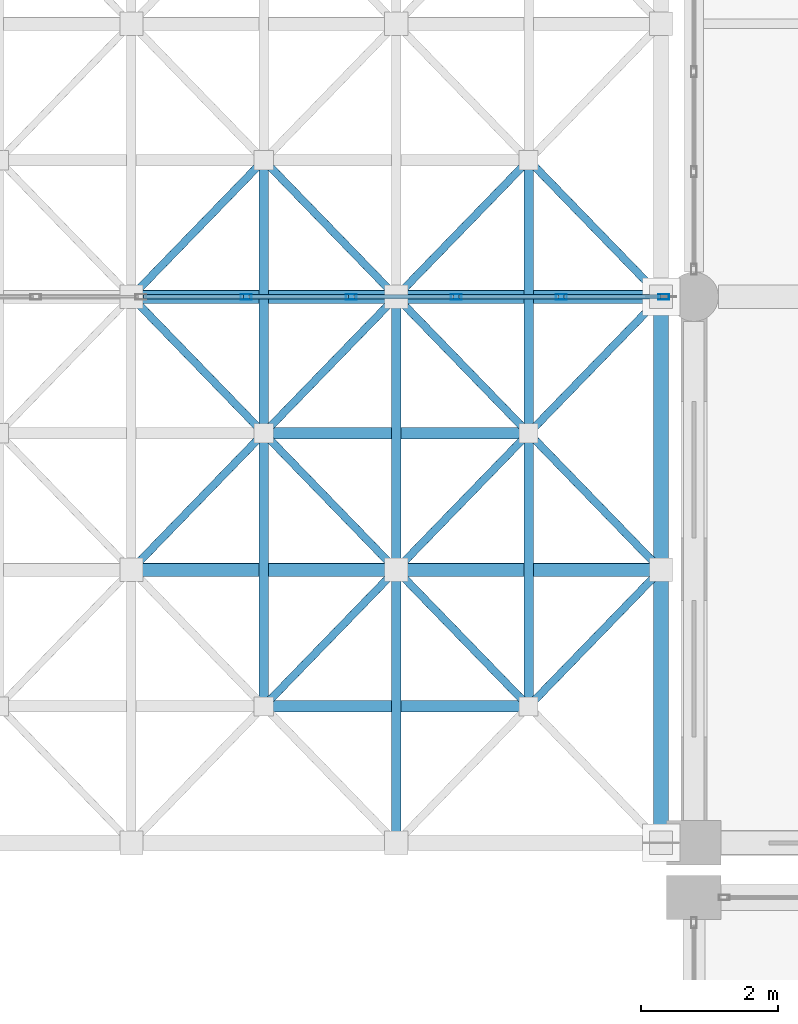
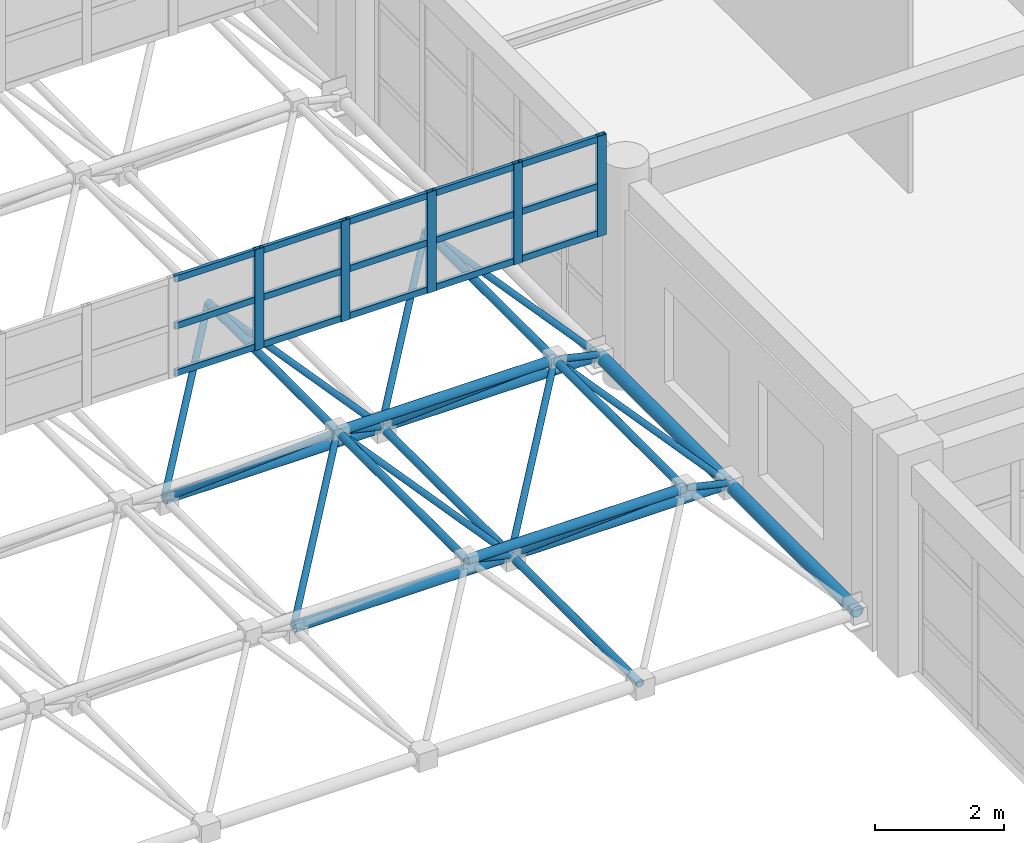
# One storey, part 52 of 195: 49 members, 1 element without a shape of its own.
"""IFC4 building model written with IfcOpenShell, lengths in metres."""

from ifc_helpers import new_model, si_unit, direction, frame, origin, origin_2d, place, context, subcontext, project, spatial, hollow_rectangle, hollow_circle, extrude, material, material_profile, profile_set, type_object, element, aggregate, save


model = new_model("IFC4")

# Units and contexts
model_context = context("Model", 3, precision=1e-05, world=origin(), true_north=direction((0.0, 1.0)))
body_context = subcontext(model_context, "Body", "Model", "MODEL_VIEW")
ifc_project = project(units=[si_unit("LENGTHUNIT", "METRE"), si_unit("AREAUNIT", "SQUARE_METRE"), si_unit("VOLUMEUNIT", "CUBIC_METRE"), si_unit("PLANEANGLEUNIT", "RADIAN"), si_unit("MASSUNIT", "GRAM", prefix="KILO")], contexts=[model_context])

# Site, building, storey
site_placement = place(None, origin())
site = spatial("IfcSite", under=ifc_project, at=site_placement, CompositionType="ELEMENT")
building_placement = place(site_placement, origin())
building = spatial("IfcBuilding", under=site, at=building_placement, Name="Kharva Crest Polytechnic", CompositionType="ELEMENT")
storey_placement = place(building_placement, frame((0.0, 0.0, 9.0)))
storey = spatial("IfcBuildingStorey", under=building, at=storey_placement, Name="L02", CompositionType="ELEMENT", Elevation=9.0)

# Curtain wall, members
ifc_material_1 = material(Name="Tempered insulated glass", Category="glass")
curtain_wall_type = type_object("IfcCurtainWallType", Name="CW-SYS-NORTHLIGHT", PredefinedType="USERDEFINED", material=ifc_material_1)
curtain_wall_placement = place(storey_placement, origin())
curtain_wall = element("IfcCurtainWall", 1, at=curtain_wall_placement, inside=storey, type_object=curtain_wall_type, Name="L02 Glazed Curtain Wall CW-190", ObjectType="CURTAIN WALL", PredefinedType="USERDEFINED")
ifc_material_2 = material(Name="Steel S355", Category="steel")
ifc_material_profile_1 = material_profile(ifc_material_2, hollow_rectangle(XDim=0.080078125, YDim=0.159912109375, WallThickness=0.0048828125, at=origin_2d()), Name="RHS 160X80X5.0")
ifc_profile_set_1 = profile_set([ifc_material_profile_1], Name="Steel S355")
member_type_1 = type_object("IfcMemberType", Name="CWM-RHS160X80", PredefinedType="MULLION", material=ifc_profile_set_1)
member_1_placement = place(storey_placement, frame((25.43994140625, 46.800048828125, 2.85009765625), z_axis=(0.0, 0.0, 1.0), x_axis=(0.0, 1.0, 0.0)))
member_1 = element("IfcMember", 2, at=member_1_placement, type_object=member_type_1, Name="CW-190 mullion 7", PredefinedType="MULLION", context=body_context, shape_type="SweptSolid", body=[
    extrude(hollow_rectangle(XDim=0.080078125, YDim=0.159912109375, WallThickness=0.0048828125, at=origin_2d()), origin(), (0.0, 0.0, 1.0), 1.89990234375),
])
member_2_placement = place(storey_placement, frame((26.97998046875, 46.800048828125, 2.85009765625), z_axis=(0.0, 0.0, 1.0), x_axis=(0.0, 1.0, 0.0)))
member_2 = element("IfcMember", 3, at=member_2_placement, type_object=member_type_1, Name="CW-190 mullion 8", PredefinedType="MULLION", context=body_context, shape_type="SweptSolid", body=[
    extrude(hollow_rectangle(XDim=0.080078125, YDim=0.159912109375, WallThickness=0.0048828125, at=origin_2d()), origin(), (0.0, 0.0, 1.0), 1.89990234375),
])
member_3_placement = place(storey_placement, frame((28.52001953125, 46.800048828125, 2.85009765625), z_axis=(0.0, 0.0, 1.0), x_axis=(0.0, 1.0, 0.0)))
member_3 = element("IfcMember", 4, at=member_3_placement, type_object=member_type_1, Name="CW-190 mullion 9", PredefinedType="MULLION", context=body_context, shape_type="SweptSolid", body=[
    extrude(hollow_rectangle(XDim=0.080078125, YDim=0.159912109375, WallThickness=0.0048828125, at=origin_2d()), origin(), (0.0, 0.0, 1.0), 1.89990234375),
])
member_4_placement = place(storey_placement, frame((30.06005859375, 46.800048828125, 2.85009765625), z_axis=(0.0, 0.0, 1.0), x_axis=(0.0, 1.0, 0.0)))
member_4 = element("IfcMember", 5, at=member_4_placement, type_object=member_type_1, Name="CW-190 mullion 10", PredefinedType="MULLION", context=body_context, shape_type="SweptSolid", body=[
    extrude(hollow_rectangle(XDim=0.080078125, YDim=0.159912109375, WallThickness=0.0048828125, at=origin_2d()), origin(), (0.0, 0.0, 1.0), 1.89990234375),
])
member_5_placement = place(storey_placement, frame((31.56005859375, 46.800048828125, 2.85009765625), z_axis=(0.0, 0.0, 1.0), x_axis=(0.0, 1.0, 0.0)))
member_5 = element("IfcMember", 6, at=member_5_placement, type_object=member_type_1, Name="CW-190 mullion 11", PredefinedType="MULLION", context=body_context, shape_type="SweptSolid", body=[
    extrude(hollow_rectangle(XDim=0.080078125, YDim=0.159912109375, WallThickness=0.0048828125, at=origin_2d()), origin(), (0.0, 0.0, 1.0), 1.89990234375),
])
ifc_material_profile_2 = material_profile(ifc_material_2, hollow_rectangle(XDim=0.06005859375, YDim=0.1201171875, WallThickness=0.00390625, at=origin_2d()), Name="RHS 120X60X4.0")
ifc_profile_set_2 = profile_set([ifc_material_profile_2], Name="Steel S355")
member_type_2 = type_object("IfcMemberType", Name="CWT-RHS120X60", PredefinedType="USERDEFINED", material=ifc_profile_set_2)
member_6_placement = place(storey_placement, frame((23.93994140625, 46.800048828125, 2.909912109375), z_axis=(1.0, 0.0, 0.0), x_axis=(0.0, 1.0, 0.0)))
member_6 = element("IfcMember", 7, at=member_6_placement, type_object=member_type_2, Name="CW-190 transom 6.1", ObjectType="TRANSOM", PredefinedType="USERDEFINED", context=body_context, shape_type="SweptSolid", body=[
    extrude(hollow_rectangle(XDim=0.06005859375, YDim=0.1201171875, WallThickness=0.00390625, at=origin_2d()), origin(), (0.0, 0.0, 1.0), 1.4599609375),
])
member_7_placement = place(storey_placement, frame((23.93994140625, 46.800048828125, 3.800048828125), z_axis=(1.0, 0.0, 0.0), x_axis=(0.0, 1.0, 0.0)))
member_7 = element("IfcMember", 8, at=member_7_placement, type_object=member_type_2, Name="CW-190 transom 6.2", ObjectType="TRANSOM", PredefinedType="USERDEFINED", context=body_context, shape_type="SweptSolid", body=[
    extrude(hollow_rectangle(XDim=0.06005859375, YDim=0.1201171875, WallThickness=0.00390625, at=origin_2d()), origin(), (0.0, 0.0, 1.0), 1.4599609375),
])
member_8_placement = place(storey_placement, frame((23.93994140625, 46.800048828125, 4.68994140625), z_axis=(1.0, 0.0, 0.0), x_axis=(0.0, 1.0, 0.0)))
member_8 = element("IfcMember", 9, at=member_8_placement, type_object=member_type_2, Name="CW-190 transom 6.3", ObjectType="TRANSOM", PredefinedType="USERDEFINED", context=body_context, shape_type="SweptSolid", body=[
    extrude(hollow_rectangle(XDim=0.06005859375, YDim=0.1201171875, WallThickness=0.00390625, at=origin_2d()), origin(), (0.0, 0.0, 1.0), 1.4599609375),
])
member_9_placement = place(storey_placement, frame((25.47998046875, 46.800048828125, 2.909912109375), z_axis=(1.0, 0.0, 0.0), x_axis=(0.0, 1.0, 0.0)))
member_9 = element("IfcMember", 10, at=member_9_placement, type_object=member_type_2, Name="CW-190 transom 7.1", ObjectType="TRANSOM", PredefinedType="USERDEFINED", context=body_context, shape_type="SweptSolid", body=[
    extrude(hollow_rectangle(XDim=0.06005859375, YDim=0.1201171875, WallThickness=0.00390625, at=origin_2d()), origin(), (0.0, 0.0, 1.0), 1.4599609375),
])
member_10_placement = place(storey_placement, frame((25.47998046875, 46.800048828125, 3.800048828125), z_axis=(1.0, 0.0, 0.0), x_axis=(0.0, 1.0, 0.0)))
member_10 = element("IfcMember", 11, at=member_10_placement, type_object=member_type_2, Name="CW-190 transom 7.2", ObjectType="TRANSOM", PredefinedType="USERDEFINED", context=body_context, shape_type="SweptSolid", body=[
    extrude(hollow_rectangle(XDim=0.06005859375, YDim=0.1201171875, WallThickness=0.00390625, at=origin_2d()), origin(), (0.0, 0.0, 1.0), 1.4599609375),
])
member_11_placement = place(storey_placement, frame((25.47998046875, 46.800048828125, 4.68994140625), z_axis=(1.0, 0.0, 0.0), x_axis=(0.0, 1.0, 0.0)))
member_11 = element("IfcMember", 12, at=member_11_placement, type_object=member_type_2, Name="CW-190 transom 7.3", ObjectType="TRANSOM", PredefinedType="USERDEFINED", context=body_context, shape_type="SweptSolid", body=[
    extrude(hollow_rectangle(XDim=0.06005859375, YDim=0.1201171875, WallThickness=0.00390625, at=origin_2d()), origin(), (0.0, 0.0, 1.0), 1.4599609375),
])
member_12_placement = place(storey_placement, frame((27.02001953125, 46.800048828125, 2.909912109375), z_axis=(1.0, 0.0, 0.0), x_axis=(0.0, 1.0, 0.0)))
member_12 = element("IfcMember", 13, at=member_12_placement, type_object=member_type_2, Name="CW-190 transom 8.1", ObjectType="TRANSOM", PredefinedType="USERDEFINED", context=body_context, shape_type="SweptSolid", body=[
    extrude(hollow_rectangle(XDim=0.06005859375, YDim=0.1201171875, WallThickness=0.00390625, at=origin_2d()), origin(), (0.0, 0.0, 1.0), 1.4599609375),
])
member_13_placement = place(storey_placement, frame((27.02001953125, 46.800048828125, 3.800048828125), z_axis=(1.0, 0.0, 0.0), x_axis=(0.0, 1.0, 0.0)))
member_13 = element("IfcMember", 14, at=member_13_placement, type_object=member_type_2, Name="CW-190 transom 8.2", ObjectType="TRANSOM", PredefinedType="USERDEFINED", context=body_context, shape_type="SweptSolid", body=[
    extrude(hollow_rectangle(XDim=0.06005859375, YDim=0.1201171875, WallThickness=0.00390625, at=origin_2d()), origin(), (0.0, 0.0, 1.0), 1.4599609375),
])
member_14_placement = place(storey_placement, frame((27.02001953125, 46.800048828125, 4.68994140625), z_axis=(1.0, 0.0, 0.0), x_axis=(0.0, 1.0, 0.0)))
member_14 = element("IfcMember", 15, at=member_14_placement, type_object=member_type_2, Name="CW-190 transom 8.3", ObjectType="TRANSOM", PredefinedType="USERDEFINED", context=body_context, shape_type="SweptSolid", body=[
    extrude(hollow_rectangle(XDim=0.06005859375, YDim=0.1201171875, WallThickness=0.00390625, at=origin_2d()), origin(), (0.0, 0.0, 1.0), 1.4599609375),
])
member_15_placement = place(storey_placement, frame((28.56005859375, 46.800048828125, 2.909912109375), z_axis=(1.0, 0.0, 0.0), x_axis=(0.0, 1.0, 0.0)))
member_15 = element("IfcMember", 16, at=member_15_placement, type_object=member_type_2, Name="CW-190 transom 9.1", ObjectType="TRANSOM", PredefinedType="USERDEFINED", context=body_context, shape_type="SweptSolid", body=[
    extrude(hollow_rectangle(XDim=0.06005859375, YDim=0.1201171875, WallThickness=0.00390625, at=origin_2d()), origin(), (0.0, 0.0, 1.0), 1.4599609375),
])
member_16_placement = place(storey_placement, frame((28.56005859375, 46.800048828125, 3.800048828125), z_axis=(1.0, 0.0, 0.0), x_axis=(0.0, 1.0, 0.0)))
member_16 = element("IfcMember", 17, at=member_16_placement, type_object=member_type_2, Name="CW-190 transom 9.2", ObjectType="TRANSOM", PredefinedType="USERDEFINED", context=body_context, shape_type="SweptSolid", body=[
    extrude(hollow_rectangle(XDim=0.06005859375, YDim=0.1201171875, WallThickness=0.00390625, at=origin_2d()), origin(), (0.0, 0.0, 1.0), 1.4599609375),
])
member_17_placement = place(storey_placement, frame((28.56005859375, 46.800048828125, 4.68994140625), z_axis=(1.0, 0.0, 0.0), x_axis=(0.0, 1.0, 0.0)))
member_17 = element("IfcMember", 18, at=member_17_placement, type_object=member_type_2, Name="CW-190 transom 9.3", ObjectType="TRANSOM", PredefinedType="USERDEFINED", context=body_context, shape_type="SweptSolid", body=[
    extrude(hollow_rectangle(XDim=0.06005859375, YDim=0.1201171875, WallThickness=0.00390625, at=origin_2d()), origin(), (0.0, 0.0, 1.0), 1.4599609375),
])
member_18_placement = place(storey_placement, frame((30.10009765625, 46.800048828125, 2.909912109375), z_axis=(1.0, 0.0, 0.0), x_axis=(0.0, 1.0, 0.0)))
member_18 = element("IfcMember", 19, at=member_18_placement, type_object=member_type_2, Name="CW-190 transom 10.1", ObjectType="TRANSOM", PredefinedType="USERDEFINED", context=body_context, shape_type="SweptSolid", body=[
    extrude(hollow_rectangle(XDim=0.06005859375, YDim=0.1201171875, WallThickness=0.00390625, at=origin_2d()), origin(), (0.0, 0.0, 1.0), 1.419921875),
])
member_19_placement = place(storey_placement, frame((30.10009765625, 46.800048828125, 3.800048828125), z_axis=(1.0, 0.0, 0.0), x_axis=(0.0, 1.0, 0.0)))
member_19 = element("IfcMember", 20, at=member_19_placement, type_object=member_type_2, Name="CW-190 transom 10.2", ObjectType="TRANSOM", PredefinedType="USERDEFINED", context=body_context, shape_type="SweptSolid", body=[
    extrude(hollow_rectangle(XDim=0.06005859375, YDim=0.1201171875, WallThickness=0.00390625, at=origin_2d()), origin(), (0.0, 0.0, 1.0), 1.419921875),
])
member_20_placement = place(storey_placement, frame((30.10009765625, 46.800048828125, 4.68994140625), z_axis=(1.0, 0.0, 0.0), x_axis=(0.0, 1.0, 0.0)))
member_20 = element("IfcMember", 21, at=member_20_placement, type_object=member_type_2, Name="CW-190 transom 10.3", ObjectType="TRANSOM", PredefinedType="USERDEFINED", context=body_context, shape_type="SweptSolid", body=[
    extrude(hollow_rectangle(XDim=0.06005859375, YDim=0.1201171875, WallThickness=0.00390625, at=origin_2d()), origin(), (0.0, 0.0, 1.0), 1.419921875),
])
aggregate(curtain_wall, [member_1, member_2, member_3, member_4, member_5, member_6, member_7, member_8, member_9, member_10, member_11, member_12, member_13, member_14, member_15, member_16, member_17, member_18, member_19, member_20])

# Members
ifc_material_profile_3 = material_profile(ifc_material_2, hollow_circle(Radius=0.05712890625, WallThickness=0.00634765625, at=origin_2d()), Name="CHS 114.3X6.3")
ifc_profile_set_3 = profile_set([ifc_material_profile_3], Name="Steel S355")
member_type_3 = type_object("IfcMemberType", Name="MEM-CHS114", PredefinedType="BRACE", material=ifc_profile_set_3)
for number, where, z_axis, x_axis, name in (
    (22, (27.639892578125, 42.800048828125, 0.60009765625), (-0.584843378742, -0.602949529154, 0.542595694449), (0.717802189577, -0.696247094528, 0.0), "Space Frame Web Diagonal 788"),
    (23, (23.760009765625, 42.800048828125, 0.60009765625), (0.584843378742, 0.602949529154, 0.542595694449), (-0.717802189577, 0.696247094528, 0.0), "Space Frame Web Diagonal 789"),
    (24, (27.639892578125, 42.800048828125, 0.60009765625), (-0.584843378742, 0.602949529154, 0.542595694449), (-0.717802189577, -0.696247094528, 0.0), "Space Frame Web Diagonal 790"),
    (25, (23.760009765625, 46.800048828125, 0.60009765625), (0.584843378742, -0.602949529154, 0.542595694449), (0.717802189577, 0.696247094528, 0.0), "Space Frame Web Diagonal 791"),
    (26, (27.639892578125, 46.800048828125, 0.60009765625), (-0.584843378742, -0.602949529154, 0.542595694449), (0.717802189577, -0.696247094528, 0.0), "Space Frame Web Diagonal 792"),
    (27, (23.760009765625, 46.800048828125, 0.60009765625), (0.584843378742, 0.602949529154, 0.542595694449), (-0.717802189577, 0.696247094528, 0.0), "Space Frame Web Diagonal 793"),
    (28, (27.639892578125, 46.800048828125, 0.60009765625), (-0.584843378742, 0.602949529154, 0.542595694449), (-0.717802189577, -0.696247094528, 0.0), "Space Frame Web Diagonal 794"),
    (29, (27.639892578125, 42.800048828125, 0.60009765625), (0.584891802813, -0.602923574763, 0.542572338032), (0.717758400015, 0.696292236929, 0.0), "Space Frame Web Diagonal 843"),
    (30, (31.52001953125, 42.800048828125, 0.60009765625), (-0.584843378742, -0.602949529154, 0.542595694449), (0.717802189577, -0.696247094528, 0.0), "Space Frame Web Diagonal 844"),
    (31, (27.639892578125, 42.800048828125, 0.60009765625), (0.584891802813, 0.602923574763, 0.542572338032), (-0.717758400015, 0.696292236929, 0.0), "Space Frame Web Diagonal 845"),
    (32, (31.52001953125, 42.800048828125, 0.60009765625), (-0.584843378742, 0.602949529154, 0.542595694449), (-0.717802189577, -0.696247094528, 0.0), "Space Frame Web Diagonal 846"),
    (33, (27.639892578125, 46.800048828125, 0.60009765625), (0.584891802813, -0.602923574763, 0.542572338032), (0.717758400015, 0.696292236929, 0.0), "Space Frame Web Diagonal 847"),
    (34, (31.52001953125, 46.800048828125, 0.60009765625), (-0.584843378742, -0.602949529154, 0.542595694449), (0.717802189577, -0.696247094528, 0.0), "Space Frame Web Diagonal 848"),
    (35, (27.639892578125, 46.800048828125, 0.60009765625), (0.584891802813, 0.602923574763, 0.542572338032), (-0.717758400015, 0.696292236929, 0.0), "Space Frame Web Diagonal 849"),
    (36, (31.52001953125, 46.800048828125, 0.60009765625), (-0.584843378742, 0.602949529154, 0.542595694449), (-0.717802189577, -0.696247094528, 0.0), "Space Frame Web Diagonal 850"),
):
    element("IfcMember", number, at=place(storey_placement, frame(where, z_axis=z_axis, x_axis=x_axis)), inside=storey, type_object=member_type_3, Name=name, PredefinedType="BRACE", context=body_context, shape_type="SweptSolid", body=[
        extrude(hollow_circle(Radius=0.05712890625, WallThickness=0.00634765625, at=origin_2d()), origin(), (0.0, 0.0, 1.0), 3.317138671875),
    ])
ifc_material_profile_4 = material_profile(ifc_material_2, hollow_circle(Radius=0.06982421875, WallThickness=0.00634765625, at=origin_2d()), Name="CHS 139.7X6.3")
ifc_profile_set_4 = profile_set([ifc_material_profile_4], Name="Steel S355")
member_type_4 = type_object("IfcMemberType", Name="MEM-CHS139", PredefinedType="CHORD", material=ifc_profile_set_4)
for number, where, z_axis, x_axis, name in (
    (37, (27.639892578125, 38.800048828125, 0.60009765625), (0.0, 1.0, 0.0), (-1.0, 0.0, 0.0), "Space Frame Bottom Chord Y 219"),
    (38, (27.639892578125, 42.800048828125, 0.60009765625), (0.0, 1.0, 0.0), (-1.0, 0.0, 0.0), "Space Frame Bottom Chord Y 220"),
    (39, (25.699951171875, 40.800048828125, 2.39990234375), (0.0, 1.0, 0.0), (-1.0, 0.0, 0.0), "Space Frame Top Chord Y 423"),
    (40, (25.699951171875, 44.800048828125, 2.39990234375), (0.0, 1.0, 0.0), (-1.0, 0.0, 0.0), "Space Frame Top Chord Y 424"),
    (41, (29.580078125, 40.800048828125, 2.39990234375), (0.0, 1.0, 0.0), (-1.0, 0.0, 0.0), "Space Frame Top Chord Y 436"),
    (42, (29.580078125, 44.800048828125, 2.39990234375), (0.0, 1.0, 0.0), (-1.0, 0.0, 0.0), "Space Frame Top Chord Y 437"),
):
    element("IfcMember", number, at=place(storey_placement, frame(where, z_axis=z_axis, x_axis=x_axis)), inside=storey, type_object=member_type_4, Name=name, PredefinedType="CHORD", context=body_context, shape_type="SweptSolid", body=[
        extrude(hollow_circle(Radius=0.06982421875, WallThickness=0.00634765625, at=origin_2d()), origin(), (0.0, 0.0, 1.0), 4.0),
    ])
ifc_material_profile_5 = material_profile(ifc_material_2, hollow_circle(Radius=0.084228515625, WallThickness=0.008056640625, at=origin_2d()), Name="CHS 168.3X8.0")
ifc_profile_set_5 = profile_set([ifc_material_profile_5], Name="Steel S355")
member_type_5 = type_object("IfcMemberType", Name="MEM-CHS168", PredefinedType="CHORD", material=ifc_profile_set_5)
for number, where, z_axis, x_axis, name in (
    (43, (25.699951171875, 40.800048828125, 2.39990234375), (1.0, 0.0, 0.0), (0.0, 1.0, 0.0), "Space Frame Top Chord X 253"),
    (44, (25.699951171875, 44.800048828125, 2.39990234375), (1.0, 0.0, 0.0), (0.0, 1.0, 0.0), "Space Frame Top Chord X 260"),
):
    element("IfcMember", number, at=place(storey_placement, frame(where, z_axis=z_axis, x_axis=x_axis)), inside=storey, type_object=member_type_5, Name=name, PredefinedType="CHORD", context=body_context, shape_type="SweptSolid", body=[
        extrude(hollow_circle(Radius=0.084228515625, WallThickness=0.008056640625, at=origin_2d()), origin(), (0.0, 0.0, 1.0), 3.880126953125),
    ])
ifc_material_profile_6 = material_profile(ifc_material_2, hollow_circle(Radius=0.096923828125, WallThickness=0.008056640625, at=origin_2d()), Name="CHS 193.7X8.0")
ifc_profile_set_6 = profile_set([ifc_material_profile_6], Name="Steel S355")
member_type_6 = type_object("IfcMemberType", Name="MEM-CHS193", PredefinedType="CHORD", material=ifc_profile_set_6)
member_21_placement = place(storey_placement, frame((23.760009765625, 42.800048828125, 0.60009765625), z_axis=(1.0, 0.0, 0.0), x_axis=(0.0, 1.0, 0.0)))
element("IfcMember", 45, at=member_21_placement, inside=storey, type_object=member_type_6, Name="Space Frame Bottom Chord X 15", PredefinedType="CHORD", context=body_context, shape_type="SweptSolid", body=[
    extrude(hollow_circle(Radius=0.096923828125, WallThickness=0.008056640625, at=origin_2d()), origin(), (0.0, 0.0, 1.0), 3.8798828125),
])
member_22_placement = place(storey_placement, frame((27.639892578125, 42.800048828125, 0.60009765625), z_axis=(1.0, 0.0, 0.0), x_axis=(0.0, 1.0, 0.0)))
element("IfcMember", 46, at=member_22_placement, inside=storey, type_object=member_type_6, Name="Space Frame Bottom Chord X 16", PredefinedType="CHORD", context=body_context, shape_type="SweptSolid", body=[
    extrude(hollow_circle(Radius=0.096923828125, WallThickness=0.008056640625, at=origin_2d()), origin(), (0.0, 0.0, 1.0), 3.880126953125),
])
member_23_placement = place(storey_placement, frame((23.760009765625, 46.800048828125, 0.60009765625), z_axis=(1.0, 0.0, 0.0), x_axis=(0.0, 1.0, 0.0)))
element("IfcMember", 47, at=member_23_placement, inside=storey, type_object=member_type_6, Name="Space Frame Bottom Chord X 23", PredefinedType="CHORD", context=body_context, shape_type="SweptSolid", body=[
    extrude(hollow_circle(Radius=0.096923828125, WallThickness=0.008056640625, at=origin_2d()), origin(), (0.0, 0.0, 1.0), 3.8798828125),
])
member_24_placement = place(storey_placement, frame((27.639892578125, 46.800048828125, 0.60009765625), z_axis=(1.0, 0.0, 0.0), x_axis=(0.0, 1.0, 0.0)))
element("IfcMember", 48, at=member_24_placement, inside=storey, type_object=member_type_6, Name="Space Frame Bottom Chord X 24", PredefinedType="CHORD", context=body_context, shape_type="SweptSolid", body=[
    extrude(hollow_circle(Radius=0.096923828125, WallThickness=0.008056640625, at=origin_2d()), origin(), (0.0, 0.0, 1.0), 3.880126953125),
])
ifc_material_profile_7 = material_profile(ifc_material_2, hollow_circle(Radius=0.109619140625, WallThickness=0.010009765625, at=origin_2d()), Name="CHS 219.1X10.0")
ifc_profile_set_7 = profile_set([ifc_material_profile_7], Name="Steel S355")
member_type_7 = type_object("IfcMemberType", Name="MEM-CHS219", PredefinedType="CHORD", material=ifc_profile_set_7)
for number, where, z_axis, x_axis, name in (
    (49, (31.52001953125, 38.800048828125, 0.60009765625), (0.0, 1.0, 0.0), (-1.0, 0.0, 0.0), "Space Frame Bottom Chord Y 233"),
    (50, (31.52001953125, 42.800048828125, 0.60009765625), (0.0, 1.0, 0.0), (-1.0, 0.0, 0.0), "Space Frame Bottom Chord Y 234"),
):
    element("IfcMember", number, at=place(storey_placement, frame(where, z_axis=z_axis, x_axis=x_axis)), inside=storey, type_object=member_type_7, Name=name, PredefinedType="CHORD", context=body_context, shape_type="SweptSolid", body=[
        extrude(hollow_circle(Radius=0.109619140625, WallThickness=0.010009765625, at=origin_2d()), origin(), (0.0, 0.0, 1.0), 4.0),
    ])

save(model, "model.ifc")
